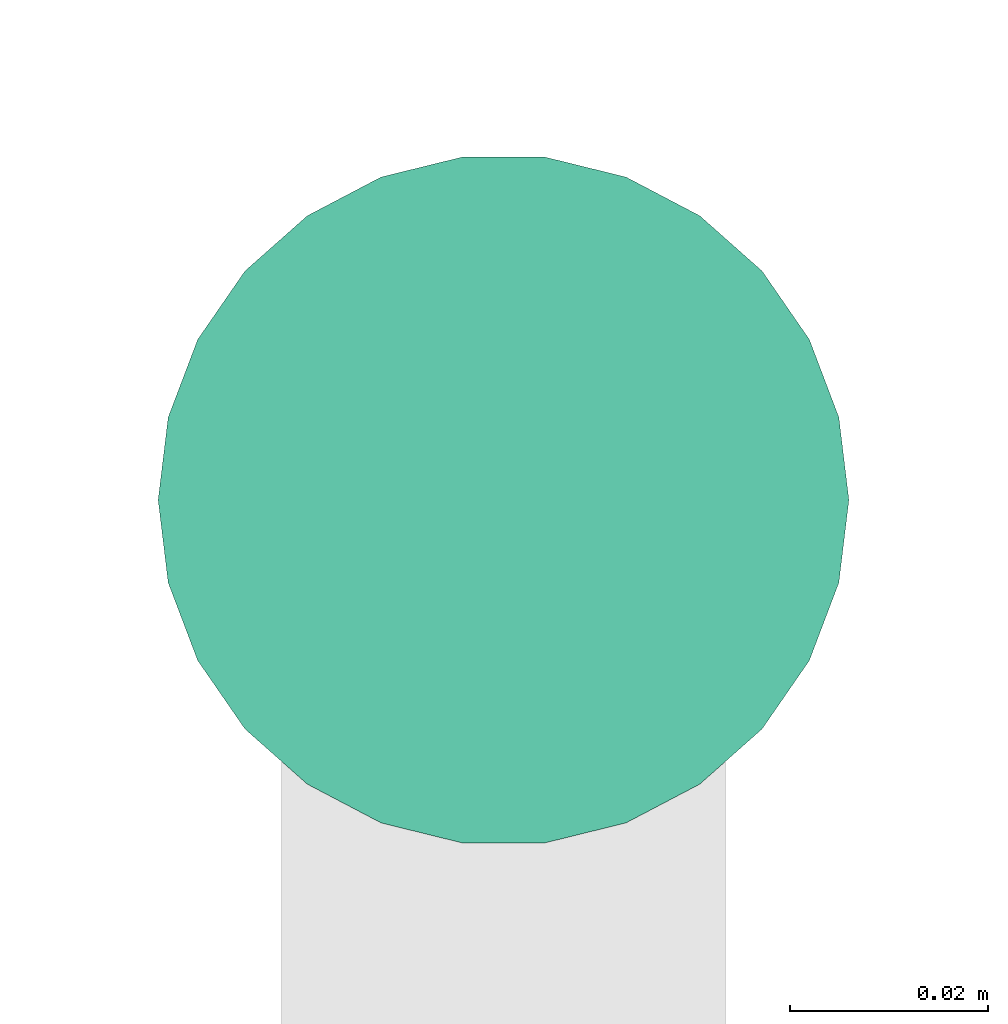
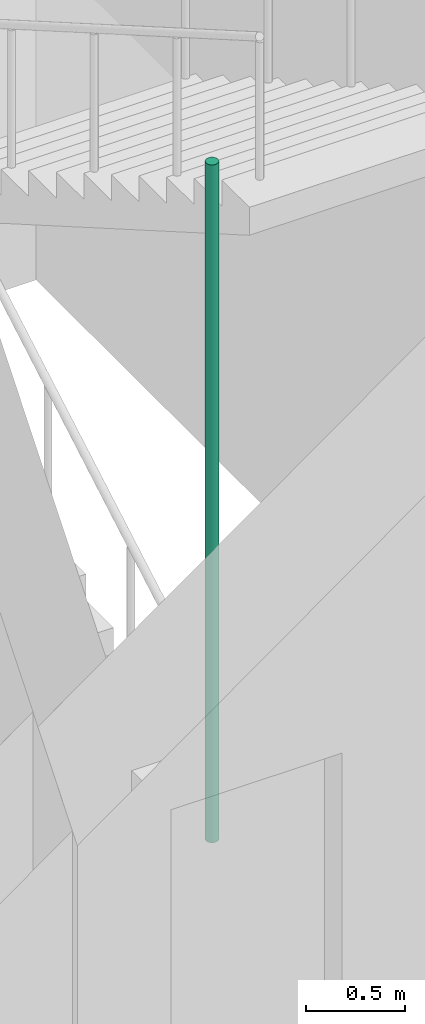
# One storey, part 35 of 38: 1 pipe segment.
"""IFC4 building model written with IfcOpenShell, lengths in metres."""

from ifc_helpers import new_model, si_unit, direction, frame, origin, origin_2d, place, context, subcontext, project, spatial, circle, extrude, element, save


model = new_model("IFC4")

# Units and contexts
model_context = context("Model", 3, precision=1e-05, world=origin(), true_north=direction((0.0, 1.0)))
body_context = subcontext(model_context, "Body", "Model", "MODEL_VIEW")
ifc_project = project(units=[si_unit("LENGTHUNIT", "METRE"), si_unit("AREAUNIT", "SQUARE_METRE"), si_unit("VOLUMEUNIT", "CUBIC_METRE"), si_unit("PLANEANGLEUNIT", "RADIAN"), si_unit("MASSUNIT", "GRAM", prefix="KILO")], contexts=[model_context])

# Site, building, storey
site_placement = place(None, origin())
site = spatial("IfcSite", under=ifc_project, at=site_placement, CompositionType="ELEMENT")
building_placement = place(site_placement, origin())
building = spatial("IfcBuilding", under=site, at=building_placement, Name="Nzadi Deep Aquarium and Research Tower", CompositionType="ELEMENT")
storey_placement = place(building_placement, frame((0.0, 0.0, 48.699951171875)))
storey = spatial("IfcBuildingStorey", under=building, at=storey_placement, Name="L09", CompositionType="ELEMENT", Elevation=48.699951171875)

# Pipe segment
pipe_segment_placement = place(storey_placement, frame((25.10009765625, 13.719970703125, 0.0), z_axis=(0.0, 0.0, 1.0), x_axis=(1.0, 0.0, 0.0)))
element("IfcPipeSegment", 1, at=pipe_segment_placement, inside=storey, Name="Dry riser ST-Z1-SE L09", PredefinedType="RIGIDSEGMENT", context=body_context, shape_type="SweptSolid", body=[
    extrude(circle(Radius=0.034912109375, at=origin_2d()), origin(), (0.0, 0.0, 1.0), 4.199951171875),
])

save(model, "model.ifc")
